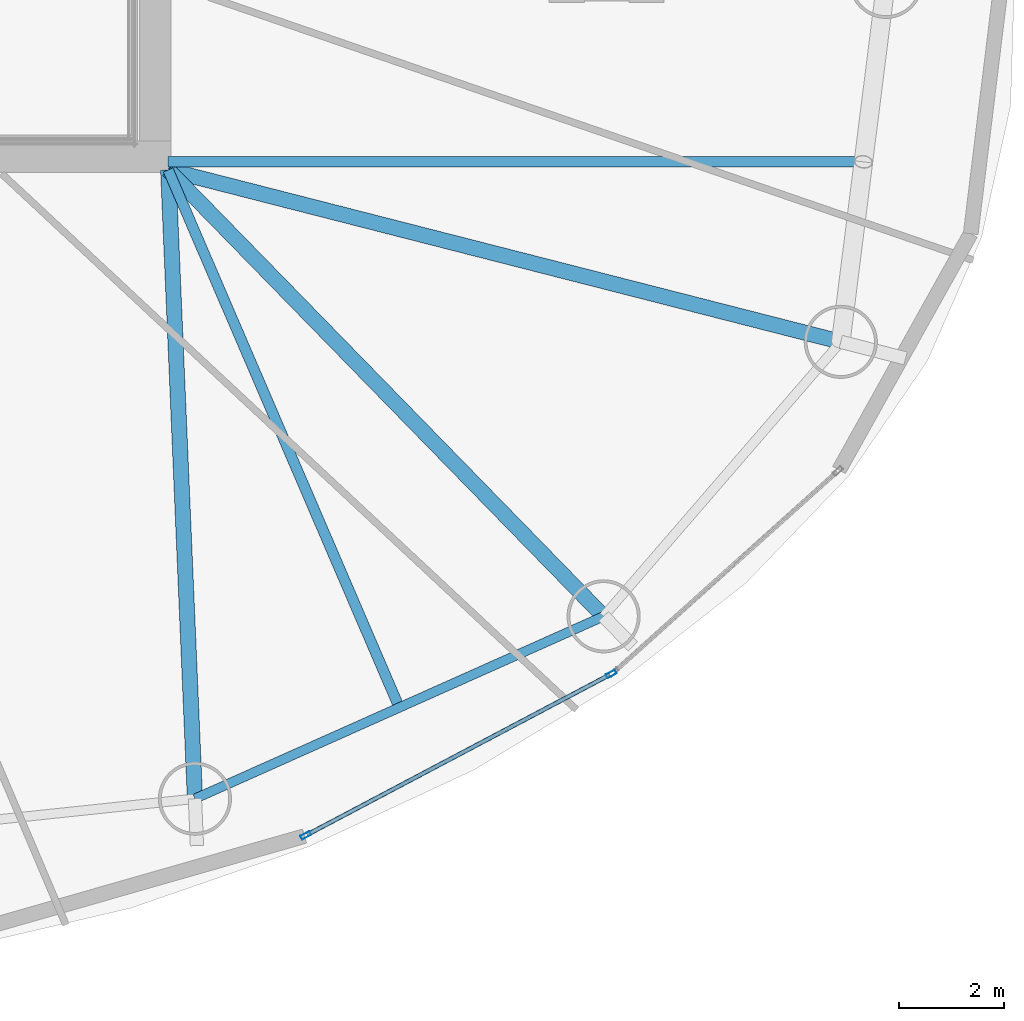
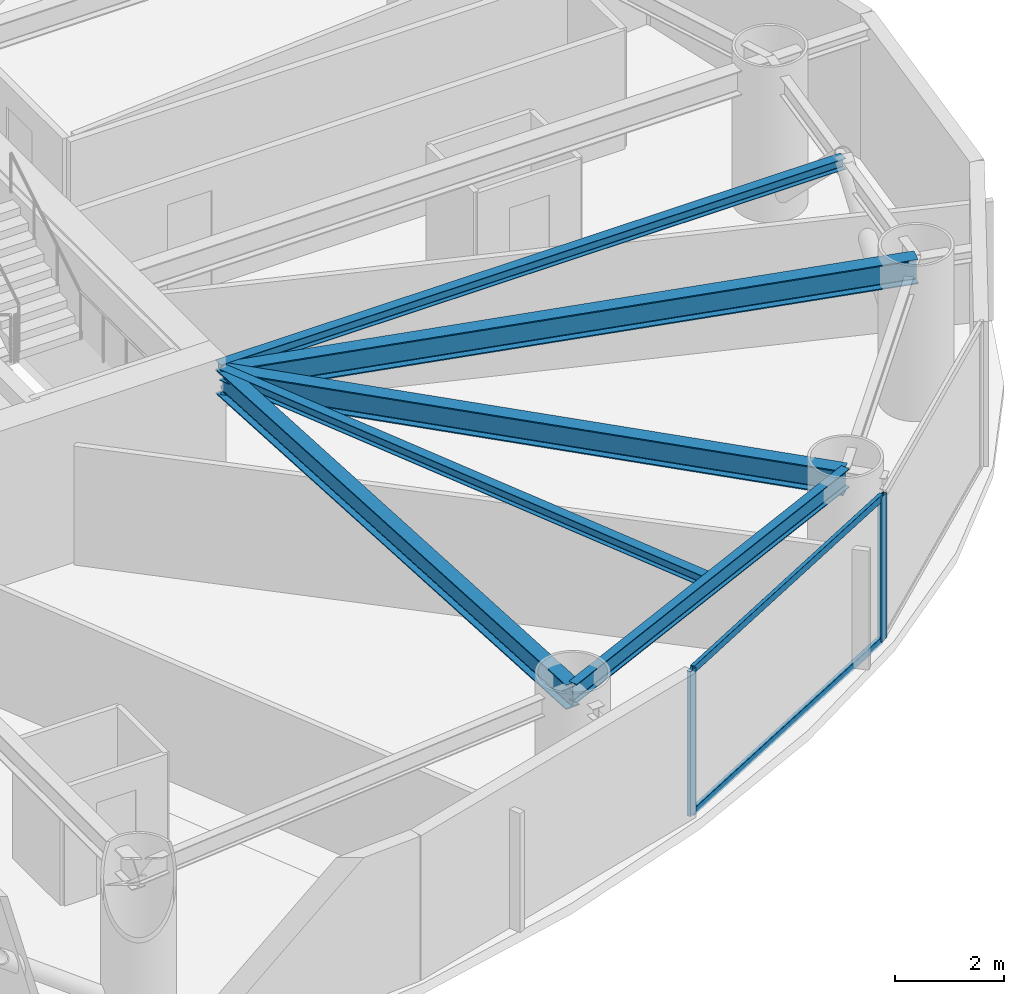
# One storey, part 4 of 20: 6 beams, 4 members, 1 element without a shape of its own.
"""IFC4 building model written with IfcOpenShell, lengths in metres."""

from ifc_helpers import new_model, si_unit, direction, frame, origin, origin_2d, place, context, subcontext, project, spatial, hollow_rectangle, i_section, extrude, material, layer, layer_set, material_profile, profile_set, type_object, element, aggregate, save


model = new_model("IFC4")

# Units and contexts
model_context = context("Model", 3, precision=1e-05, world=origin(), true_north=direction((0.0, 1.0)))
body_context = subcontext(model_context, "Body", "Model", "MODEL_VIEW")
ifc_project = project(units=[si_unit("LENGTHUNIT", "METRE"), si_unit("AREAUNIT", "SQUARE_METRE"), si_unit("VOLUMEUNIT", "CUBIC_METRE"), si_unit("PLANEANGLEUNIT", "RADIAN"), si_unit("MASSUNIT", "GRAM", prefix="KILO")], contexts=[model_context])

# Site, building, storey
site_placement = place(None, origin())
site = spatial("IfcSite", under=ifc_project, at=site_placement, CompositionType="ELEMENT")
building_placement = place(site_placement, origin())
building = spatial("IfcBuilding", under=site, at=building_placement, Name="Bramvorn Convention Spire", CompositionType="ELEMENT")
storey_placement = place(building_placement, frame((0.0, 0.0, 106.300048828125)))
storey = spatial("IfcBuildingStorey", under=building, at=storey_placement, Name="L25", CompositionType="ELEMENT", Elevation=106.300048828125)

# Beams
ifc_material_1 = material(Name="Steel CSA G40.21 Grade 350 (350W)", Category="steel")
ifc_material_profile_1 = material_profile(ifc_material_1, i_section(OverallWidth=0.201904296875, OverallDepth=0.2470703125, WebThickness=0.00732421875, FlangeThickness=0.010986328125, FilletRadius=0.011962890625, at=origin_2d()))
ifc_profile_set_1 = profile_set([ifc_material_profile_1], Name="Steel CSA G40.21 Grade 350 (350W) - W250X49")
beam_type_1 = type_object("IfcBeamType", Name="BM-W250X49", PredefinedType="JOIST", material=ifc_profile_set_1)
beam_1_placement = place(storey_placement, frame((49.25, 18.705078125, 3.136474609375), z_axis=(1.0, 0.0, 0.0), x_axis=(0.0, 1.0, 0.0)))
element("IfcBeam", 1, at=beam_1_placement, inside=storey, type_object=beam_type_1, Name="L25 composite floor joist 01", PredefinedType="JOIST", context=body_context, shape_type="SweptSolid", body=[
    extrude(i_section(OverallWidth=0.201904296875, OverallDepth=0.2470703125, WebThickness=0.00732421875, FlangeThickness=0.010986328125, FilletRadius=0.011962890625, at=origin_2d()), origin(), (0.0, 0.0, 1.0), 13.30078125),
])
beam_2_placement = place(storey_placement, frame((49.25, 18.550048828125, 3.136474609375), z_axis=(0.394937739893, -0.918707886985, 0.0), x_axis=(0.918707886985, 0.394937739893, 0.0)))
element("IfcBeam", 2, at=beam_2_placement, inside=storey, type_object=beam_type_1, Name="L25 composite floor joist 15", PredefinedType="JOIST", context=body_context, shape_type="SweptSolid", body=[
    extrude(i_section(OverallWidth=0.201904296875, OverallDepth=0.2470703125, WebThickness=0.00732421875, FlangeThickness=0.010986328125, FilletRadius=0.011962890625, at=origin_2d()), origin(), (0.0, 0.0, 1.0), 11.19384765625),
])
ifc_material_profile_2 = material_profile(ifc_material_1, i_section(OverallWidth=0.180908203125, OverallDepth=0.4169921875, WebThickness=0.010986328125, FlangeThickness=0.018310546875, FilletRadius=0.01611328125, at=origin_2d()))
ifc_profile_set_2 = profile_set([ifc_material_profile_2], Name="Steel CSA G40.21 Grade 350 (350W) - W410X85")
beam_type_2 = type_object("IfcBeamType", Name="BM-W410X85", PredefinedType="JOIST", material=ifc_profile_set_2)
beam_3_placement = place(storey_placement, frame((49.76171875, 6.521240234375, 3.051513671875), z_axis=(0.913169534701, 0.407579931908, 0.0), x_axis=(-0.407579931908, 0.913169534701, 0.0)))
element("IfcBeam", 3, at=beam_3_placement, inside=storey, type_object=beam_type_2, Name="L25 mega-column ring beam 15", PredefinedType="JOIST", context=body_context, shape_type="SweptSolid", body=[
    extrude(i_section(OverallWidth=0.180908203125, OverallDepth=0.4169921875, WebThickness=0.010986328125, FlangeThickness=0.018310546875, FilletRadius=0.01611328125, at=origin_2d()), origin(), (0.0, 0.0, 1.0), 8.5615234375),
])
ifc_material_profile_3 = material_profile(ifc_material_1, i_section(OverallWidth=0.2919921875, OverallDepth=0.551025390625, WebThickness=0.01513671875, FlangeThickness=0.0244140625, FilletRadius=0.01904296875, at=origin_2d()))
ifc_profile_set_3 = profile_set([ifc_material_profile_3], Name="Steel CSA G40.21 Grade 350 (350W) - W530X182")
beam_type_3 = type_object("IfcBeamType", Name="BM-W530X182", PredefinedType="BEAM", material=ifc_profile_set_3)
beam_4_placement = place(storey_placement, frame((49.25, 18.550048828125, 2.984375), z_axis=(0.968872976577, -0.247558387576, 0.0), x_axis=(0.247558387576, 0.968872976577, 0.0)))
element("IfcBeam", 4, at=beam_4_placement, inside=storey, type_object=beam_type_3, Name="L25 radial floor girder MC01", PredefinedType="BEAM", context=body_context, shape_type="SweptSolid", body=[
    extrude(i_section(OverallWidth=0.2919921875, OverallDepth=0.551025390625, WebThickness=0.01513671875, FlangeThickness=0.0244140625, FilletRadius=0.01904296875, at=origin_2d()), origin(), (0.0, 0.0, 1.0), 13.281005859375),
])
beam_5_placement = place(storey_placement, frame((49.25, 18.550048828125, 2.984375), z_axis=(0.042502657955, -0.999096353745, 0.0), x_axis=(0.999096353745, 0.042502657955, 0.0)))
element("IfcBeam", 5, at=beam_5_placement, inside=storey, type_object=beam_type_3, Name="L25 radial floor girder MC15", PredefinedType="BEAM", context=body_context, shape_type="SweptSolid", body=[
    extrude(i_section(OverallWidth=0.2919921875, OverallDepth=0.551025390625, WebThickness=0.01513671875, FlangeThickness=0.0244140625, FilletRadius=0.01904296875, at=origin_2d()), origin(), (0.0, 0.0, 1.0), 12.039794921875),
])
beam_6_placement = place(storey_placement, frame((49.25, 18.550048828125, 2.984375), z_axis=(0.698272445638, -0.715832097397, 0.0), x_axis=(0.715832097397, 0.698272445638, 0.0)))
element("IfcBeam", 6, at=beam_6_placement, inside=storey, type_object=beam_type_3, Name="L25 radial floor girder MC16", PredefinedType="BEAM", context=body_context, shape_type="SweptSolid", body=[
    extrude(i_section(OverallWidth=0.2919921875, OverallDepth=0.551025390625, WebThickness=0.01513671875, FlangeThickness=0.0244140625, FilletRadius=0.01904296875, at=origin_2d()), origin(), (0.0, 0.0, 1.0), 11.92919921875),
])

# Curtain wall, members
ifc_material_2 = material(Name="Anodised Bronze Unitised Curtain Wall", Category="aluminium")
ifc_layer = layer(ifc_material_2, 0.179931640625)
ifc_layer_set = layer_set([ifc_layer], Name="Anodised Bronze Unitised Curtain Wall - CW-HTL-FRIT")
curtain_wall_type = type_object("IfcCurtainWallType", Name="CW-HTL-FRIT", PredefinedType="USERDEFINED", material=ifc_layer_set)
curtain_wall_placement = place(storey_placement, origin())
curtain_wall = element("IfcCurtainWall", 7, at=curtain_wall_placement, inside=storey, type_object=curtain_wall_type, Name="L25 fritted glass curtain wall 22", ObjectType="UNITISED CURTAIN WALL", PredefinedType="USERDEFINED")
ifc_material_3 = material(Name="Anodised Bronze Aluminium 6063-T6", Category="aluminium")
ifc_material_profile_4 = material_profile(ifc_material_3, hollow_rectangle(XDim=0.080078125, YDim=0.199951171875, WallThickness=0.00390625, InnerFilletRadius=0.0009765625, OuterFilletRadius=0.00390625, at=origin_2d()))
ifc_profile_set_4 = profile_set([ifc_material_profile_4], Name="Anodised Bronze Aluminium 6063-T6 - CWM80X200")
member_type_1 = type_object("IfcMemberType", Name="CW-MUL-180", PredefinedType="MULLION", material=ifc_profile_set_4)
member_1_placement = place(storey_placement, frame((57.724365234375, 8.907470703125, 0.0), z_axis=(0.0, 0.0, 1.0), x_axis=(0.467359594162, -0.884067310641, 0.0)))
member_1 = element("IfcMember", 8, at=member_1_placement, type_object=member_type_1, Name="CW2 mullion 1", PredefinedType="MULLION", context=body_context, shape_type="SweptSolid", body=[
    extrude(hollow_rectangle(XDim=0.080078125, YDim=0.199951171875, WallThickness=0.00390625, InnerFilletRadius=0.0009765625, OuterFilletRadius=0.00390625, at=origin_2d()), origin(), (0.0, 0.0, 1.0), 3.260009765625),
])
member_2_placement = place(storey_placement, frame((51.885009765625, 5.8203125, 0.0), z_axis=(0.0, 0.0, 1.0), x_axis=(0.467359594162, -0.884067310641, 0.0)))
member_2 = element("IfcMember", 9, at=member_2_placement, type_object=member_type_1, Name="CW2 mullion 2", PredefinedType="MULLION", context=body_context, shape_type="SweptSolid", body=[
    extrude(hollow_rectangle(XDim=0.080078125, YDim=0.199951171875, WallThickness=0.00390625, InnerFilletRadius=0.0009765625, OuterFilletRadius=0.00390625, at=origin_2d()), origin(), (0.0, 0.0, 1.0), 3.260009765625),
])
ifc_material_profile_5 = material_profile(ifc_material_3, hollow_rectangle(XDim=0.080078125, YDim=0.159912109375, WallThickness=0.00390625, InnerFilletRadius=0.0009765625, OuterFilletRadius=0.00390625, at=origin_2d()))
ifc_profile_set_5 = profile_set([ifc_material_profile_5], Name="Anodised Bronze Aluminium 6063-T6 - CWT80X160")
member_type_2 = type_object("IfcMemberType", Name="CW-TRN-150", PredefinedType="USERDEFINED", material=ifc_profile_set_5)
member_3_placement = place(storey_placement, frame((57.69775390625, 8.893310546875, 0.030029296875), z_axis=(-0.884066317736, -0.467361472359, 0.0), x_axis=(0.467361472359, -0.884066317736, 0.0)))
member_3 = element("IfcMember", 10, at=member_3_placement, type_object=member_type_2, Name="CW2 transom 1.1", ObjectType="TRANSOM", PredefinedType="USERDEFINED", context=body_context, shape_type="SweptSolid", body=[
    extrude(hollow_rectangle(XDim=0.080078125, YDim=0.159912109375, WallThickness=0.00390625, InnerFilletRadius=0.0009765625, OuterFilletRadius=0.00390625, at=origin_2d()), origin(), (0.0, 0.0, 1.0), 6.544921875),
])
member_4_placement = place(storey_placement, frame((57.69775390625, 8.893310546875, 3.22998046875), z_axis=(-0.884066317736, -0.467361472359, 0.0), x_axis=(0.467361472359, -0.884066317736, 0.0)))
member_4 = element("IfcMember", 11, at=member_4_placement, type_object=member_type_2, Name="CW2 transom 1.2", ObjectType="TRANSOM", PredefinedType="USERDEFINED", context=body_context, shape_type="SweptSolid", body=[
    extrude(hollow_rectangle(XDim=0.080078125, YDim=0.159912109375, WallThickness=0.00390625, InnerFilletRadius=0.0009765625, OuterFilletRadius=0.00390625, at=origin_2d()), origin(), (0.0, 0.0, 1.0), 6.544921875),
])
aggregate(curtain_wall, [member_1, member_2, member_3, member_4])

save(model, "model.ifc")
